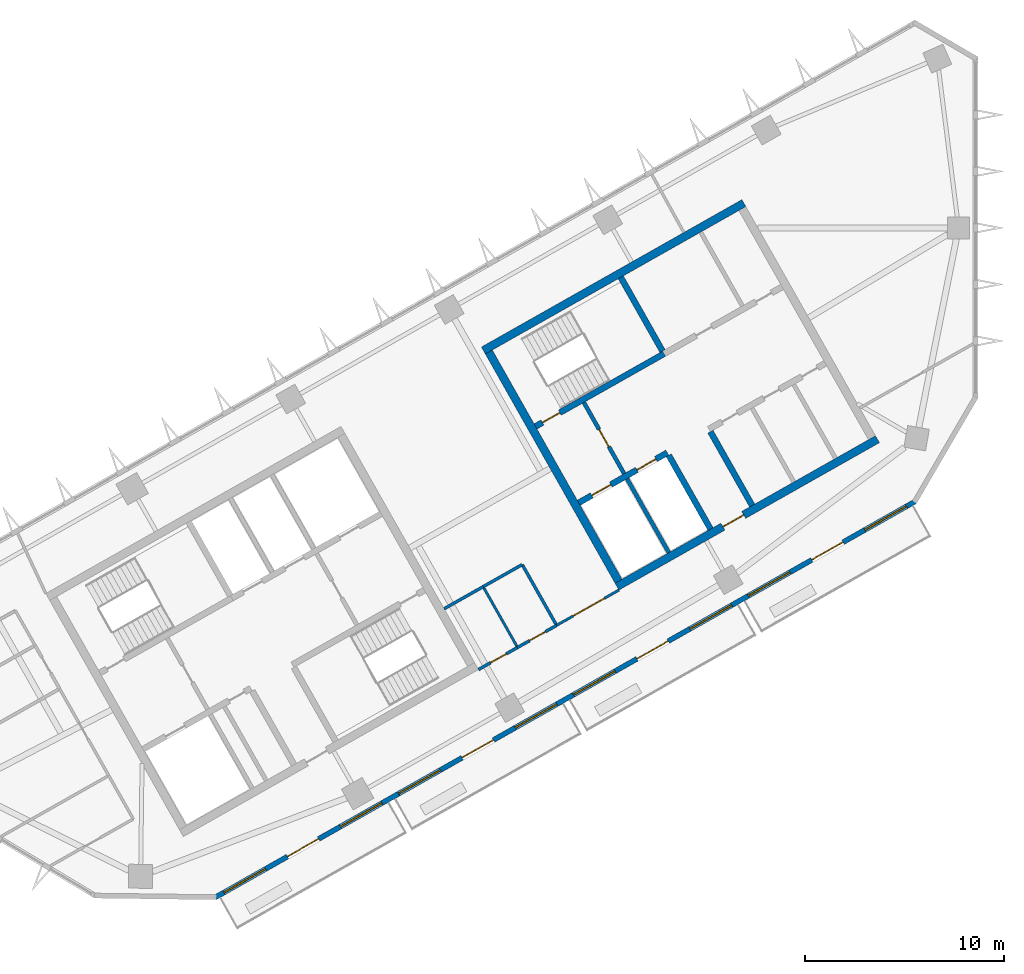
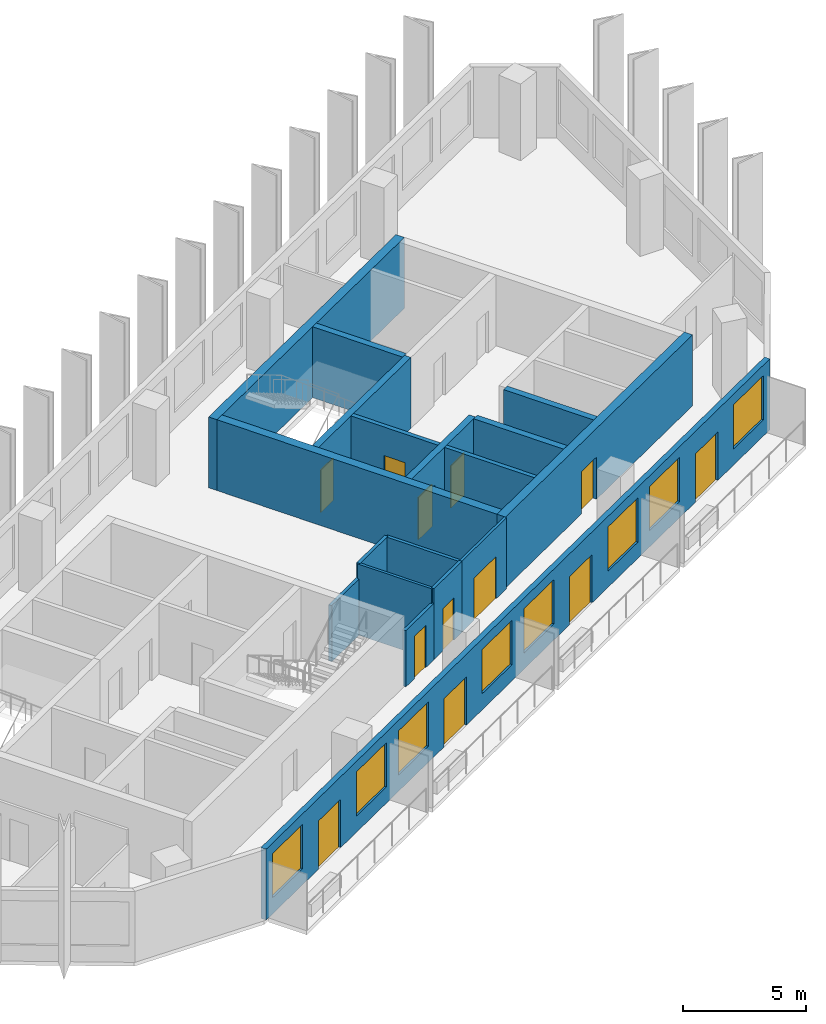
# One storey, part 4 of 8: 18 walls, 12 doors, 8 windows, 20 openings.
"""IFC4 building model written with IfcOpenShell, lengths in metres."""

from ifc_helpers import new_model, si_unit, direction, frame, frame_2d, origin, place, context, subcontext, project, spatial, rectangle, extrude, material, layer, layer_set, type_object, element, fill, save


model = new_model("IFC4")

# Units and contexts
model_context = context("Model", 3, precision=1e-05, world=origin(), true_north=direction((0.0, 1.0)))
body_context = subcontext(model_context, "Body", "Model", "MODEL_VIEW")
ifc_project = project(units=[si_unit("LENGTHUNIT", "METRE"), si_unit("AREAUNIT", "SQUARE_METRE"), si_unit("VOLUMEUNIT", "CUBIC_METRE"), si_unit("PLANEANGLEUNIT", "RADIAN"), si_unit("MASSUNIT", "GRAM", prefix="KILO")], contexts=[model_context])

# Site, building, storey
site_placement = place(None, origin())
site = spatial("IfcSite", under=ifc_project, at=site_placement, CompositionType="ELEMENT")
building_placement = place(site_placement, origin())
building = spatial("IfcBuilding", under=site, at=building_placement, Name="Binnacle Exchange Tower", CompositionType="ELEMENT")
storey_placement = place(building_placement, frame((0.0, 0.0, 293.10009765625)))
storey = spatial("IfcBuildingStorey", under=building, at=storey_placement, Name="L65", CompositionType="ELEMENT", Elevation=293.10009765625)

# Wall, openings, doors
ifc_material_1 = material(Name="Concrete C70/85", Category="concrete")
ifc_layer_1 = layer(ifc_material_1, 0.300048828125)
ifc_layer_set_1 = layer_set([ifc_layer_1], Name="Core wall - front 300")
wall_type_1 = type_object("IfcWallType", Name="Core wall - front 300", PredefinedType="SOLIDWALL", material=ifc_layer_set_1)
wall_1_placement = place(storey_placement, frame((-19.89208984375, 46.2177734375, 0.0), z_axis=(0.0, 0.0, 1.0), x_axis=(0.870341639186, 0.492448404505, 0.0)))
wall_1 = element("IfcWall", 1, at=wall_1_placement, inside=storey, type_object=wall_type_1, Name="Core wall CRWC2", PredefinedType="SOLIDWALL", context=body_context, shape_type="SweptSolid", body=[
    extrude(rectangle(XDim=5.099853515625, YDim=0.300048828125, at=frame_2d((2.5498046875, 0.0))), origin(), (0.0, 0.0, 1.0), 3.52001953125),
])
opening_1_placement = place(wall_1_placement, frame((0.75, 0.0, 0.0)))
opening_1 = element("IfcOpeningElement", 2, at=opening_1_placement, cuts=wall_1, Name="Opening LD14", PredefinedType="OPENING", context=body_context, shape_type="SweptSolid", body=[
    extrude(rectangle(XDim=1.10009765625, YDim=2.10009765625, at=frame_2d((0.550048828125, 1.050048828125))), frame((0.0, 0.159912109375, 0.0), z_axis=(0.0, -1.0, 0.0), x_axis=(1.0, 0.0, 0.0)), (0.0, 0.0, 1.0), 0.320068359375),
])
opening_2_placement = place(wall_1_placement, frame((3.35009765625, 0.0, 0.0)))
opening_2 = element("IfcOpeningElement", 3, at=opening_2_placement, cuts=wall_1, Name="Opening LD11", PredefinedType="OPENING", context=body_context, shape_type="SweptSolid", body=[
    extrude(rectangle(XDim=1.10009765625, YDim=2.10009765625, at=frame_2d((0.550048828125, 1.050048828125))), frame((0.0, 0.159912109375, 0.0), z_axis=(0.0, -1.0, 0.0), x_axis=(1.0, 0.0, 0.0)), (0.0, 0.0, 1.0), 0.320068359375),
])
ifc_material_2 = material(Name="Steel door leaf", Category="steel")
door_type_1 = type_object("IfcDoorType", Name="Fire door - lift landing 1100", OperationType="NOTDEFINED", PredefinedType="DOOR", material=ifc_material_2)
door_1_placement = place(opening_1_placement, origin())
door_1 = element("IfcDoor", 4, at=door_1_placement, inside=storey, type_object=door_type_1, Name="Landing door LD14 L65", OperationType="DOUBLE_DOOR_SLIDING", OverallHeight=2.10009765625, OverallWidth=1.10009765625, PredefinedType="DOOR", context=body_context, shape_type="SweptSolid", body=[
    extrude(rectangle(XDim=1.10009765625, YDim=2.10009765625, at=frame_2d((0.550048828125, 1.050048828125))), frame((0.0, 0.02490234375, 0.0), z_axis=(0.0, -1.0, 0.0), x_axis=(1.0, 0.0, 0.0)), (0.0, 0.0, 1.0), 0.050048828125),
])
fill(opening_1, door_1)
door_2_placement = place(opening_2_placement, origin())
door_2 = element("IfcDoor", 5, at=door_2_placement, inside=storey, type_object=door_type_1, Name="Landing door LD11 L65", OperationType="DOUBLE_DOOR_SLIDING", OverallHeight=2.10009765625, OverallWidth=1.10009765625, PredefinedType="DOOR", context=body_context, shape_type="SweptSolid", body=[
    extrude(rectangle(XDim=1.10009765625, YDim=2.10009765625, at=frame_2d((0.550048828125, 1.050048828125))), frame((0.0, 0.02490234375, 0.0), z_axis=(0.0, -1.0, 0.0), x_axis=(1.0, 0.0, 0.0)), (0.0, 0.0, 1.0), 0.050048828125),
])
fill(opening_2, door_2)

# Walls
wall_2_placement = place(storey_placement, frame((-15.37939453125, 48.5986328125, 0.0), z_axis=(0.0, 0.0, 1.0), x_axis=(0.492422543467, -0.870356271124, 0.0)))
element("IfcWall", 6, at=wall_2_placement, inside=storey, type_object=wall_type_1, Name="Core wall CRWC13", PredefinedType="SOLIDWALL", context=body_context, shape_type="SweptSolid", body=[
    extrude(rectangle(XDim=4.25, YDim=0.300048828125, at=frame_2d((2.125, 0.0))), origin(), (0.0, 0.0, 1.0), 3.52001953125),
])
wall_3_placement = place(storey_placement, frame((-13.29052734375, 49.780517578125, 0.0), z_axis=(0.0, 0.0, 1.0), x_axis=(0.492397924348, -0.870370199454, 0.0)))
element("IfcWall", 7, at=wall_3_placement, inside=storey, type_object=wall_type_1, Name="Core wall CRWC15", PredefinedType="SOLIDWALL", context=body_context, shape_type="SweptSolid", body=[
    extrude(rectangle(XDim=4.250244140625, YDim=0.300048828125, at=frame_2d((2.125, 0.0))), origin(), (0.0, 0.0, 1.0), 3.52001953125),
])

# Wall, opening, door
ifc_layer_2 = layer(ifc_material_1, 0.39990234375)
ifc_layer_set_2 = layer_set([ifc_layer_2], Name="Core wall - outer 400")
wall_type_2 = type_object("IfcWallType", Name="Core wall - outer 400", PredefinedType="SOLIDWALL", material=ifc_layer_set_2)
wall_4_placement = place(storey_placement, frame((-17.97509765625, 42.01708984375, 0.0), z_axis=(0.0, 0.0, 1.0), x_axis=(0.87034965173, 0.492434243055, 0.0)))
wall_4 = element("IfcWall", 8, at=wall_4_placement, inside=storey, type_object=wall_type_2, Name="Core wall CRWC1", PredefinedType="SOLIDWALL", context=body_context, shape_type="SweptSolid", body=[
    extrude(rectangle(XDim=15.0, YDim=0.39990234375, at=frame_2d((7.5, 0.0))), origin(), (0.0, 0.0, 1.0), 3.52001953125),
])
opening_3_placement = place(wall_4_placement, frame((6.10009765625, 0.0, 0.0)))
opening_3 = element("IfcOpeningElement", 9, at=opening_3_placement, cuts=wall_4, Name="Opening DC7", PredefinedType="OPENING", context=body_context, shape_type="SweptSolid", body=[
    extrude(rectangle(XDim=1.199951171875, YDim=2.10009765625, at=frame_2d((0.60009765625, 1.050048828125))), frame((0.0, 0.2099609375, 0.0), z_axis=(0.0, -1.0, 0.0), x_axis=(1.0, 0.0, 0.0)), (0.0, 0.0, 1.0), 0.419921875),
])
door_type_2 = type_object("IfcDoorType", Name="Fire door 1200", OperationType="NOTDEFINED", PredefinedType="DOOR", material=ifc_material_2)
door_3_placement = place(opening_3_placement, frame((1.199951171875, 0.0, 0.0), z_axis=(0.0, 0.0, 1.0), x_axis=(-1.0, 0.0, 0.0)))
door_3 = element("IfcDoor", 10, at=door_3_placement, inside=storey, type_object=door_type_2, Name="Lift lobby entrance door core C", OperationType="SINGLE_SWING_RIGHT", OverallHeight=2.10009765625, OverallWidth=1.199951171875, PredefinedType="DOOR", context=body_context, shape_type="SweptSolid", body=[
    extrude(rectangle(XDim=1.199951171875, YDim=2.10009765625, at=frame_2d((0.60009765625, 1.050048828125))), frame((0.0, 0.02490234375, 0.0), z_axis=(0.0, -1.0, 0.0), x_axis=(1.0, 0.0, 0.0)), (0.0, 0.0, 1.0), 0.050048828125),
])
fill(opening_3, door_3)

# Walls
wall_5_placement = place(storey_placement, frame((-24.672119140625, 53.85400390625, 0.0), z_axis=(0.0, 0.0, 1.0), x_axis=(0.870353598469, 0.492427267353, 0.0)))
element("IfcWall", 11, at=wall_5_placement, inside=storey, type_object=wall_type_2, Name="Core wall CRWC6", PredefinedType="SOLIDWALL", context=body_context, shape_type="SweptSolid", body=[
    extrude(rectangle(XDim=15.000244140625, YDim=0.39990234375, at=frame_2d((7.5, 0.0))), origin(), (0.0, 0.0, 1.0), 3.52001953125),
])
wall_6_placement = place(storey_placement, frame((-24.399658203125, 53.778564453125, 0.0), z_axis=(0.0, 0.0, 1.0), x_axis=(0.492421663121, -0.870356769198, 0.0)))
element("IfcWall", 12, at=wall_6_placement, inside=storey, type_object=wall_type_2, Name="Core wall CRWC7", PredefinedType="SOLIDWALL", context=body_context, shape_type="SweptSolid", body=[
    extrude(rectangle(XDim=13.199951171875, YDim=0.39990234375, at=frame_2d((6.60009765625, 0.0))), origin(), (0.0, 0.0, 1.0), 3.52001953125),
])

# Wall, opening, door
ifc_layer_3 = layer(ifc_material_1, 0.300048828125)
ifc_layer_set_3 = layer_set([ifc_layer_3], Name="Core wall - stair 300")
wall_type_3 = type_object("IfcWallType", Name="Core wall - stair 300", PredefinedType="SOLIDWALL", material=ifc_layer_set_3)
wall_7_placement = place(storey_placement, frame((-22.058837890625, 50.04736328125, 0.0), z_axis=(0.0, 0.0, 1.0), x_axis=(0.87035077051, 0.49243226567, 0.0)))
wall_7 = element("IfcWall", 13, at=wall_7_placement, inside=storey, type_object=wall_type_3, Name="Core wall CRWC4", PredefinedType="SOLIDWALL", context=body_context, shape_type="SweptSolid", body=[
    extrude(rectangle(XDim=7.400146484375, YDim=0.300048828125, at=frame_2d((3.7001953125, 0.0))), origin(), (0.0, 0.0, 1.0), 3.52001953125),
])
opening_4_placement = place(wall_7_placement, frame((0.39990234375, 0.0, 0.0)))
opening_4 = element("IfcOpeningElement", 14, at=opening_4_placement, cuts=wall_7, Name="Opening DC1", PredefinedType="OPENING", context=body_context, shape_type="SweptSolid", body=[
    extrude(rectangle(XDim=1.0, YDim=2.10009765625, at=frame_2d((0.5, 1.050048828125))), frame((0.0, 0.159912109375, 0.0), z_axis=(0.0, -1.0, 0.0), x_axis=(1.0, 0.0, 0.0)), (0.0, 0.0, 1.0), 0.320068359375),
])
door_type_3 = type_object("IfcDoorType", Name="Fire door 1000", OperationType="NOTDEFINED", PredefinedType="DOOR", material=ifc_material_2)
door_4_placement = place(opening_4_placement, origin())
door_4 = element("IfcDoor", 15, at=door_4_placement, inside=storey, type_object=door_type_3, Name="Stair door ST-C1", OperationType="SINGLE_SWING_LEFT", OverallHeight=2.10009765625, OverallWidth=1.0, PredefinedType="DOOR", context=body_context, shape_type="SweptSolid", body=[
    extrude(rectangle(XDim=1.0, YDim=2.10009765625, at=frame_2d((0.5, 1.050048828125))), frame((0.0, 0.02490234375, 0.0), z_axis=(0.0, -1.0, 0.0), x_axis=(1.0, 0.0, 0.0)), (0.0, 0.0, 1.0), 0.050048828125),
])
fill(opening_4, door_4)

# Wall
wall_8_placement = place(storey_placement, frame((-17.784912109375, 57.52099609375, 0.0), z_axis=(0.0, 0.0, 1.0), x_axis=(0.492422543467, -0.870356271124, 0.0)))
element("IfcWall", 16, at=wall_8_placement, inside=storey, type_object=wall_type_3, Name="Core wall CRWC14", PredefinedType="SOLIDWALL", context=body_context, shape_type="SweptSolid", body=[
    extrude(rectangle(XDim=4.25, YDim=0.300048828125, at=frame_2d((2.125, 0.0))), origin(), (0.0, 0.0, 1.0), 3.52001953125),
])

# Wall, openings, doors, windows
ifc_material_3 = material(Name="Bronze aluminium cladding", Category="aluminium")
ifc_layer_4 = layer(ifc_material_3, 0.25)
ifc_layer_set_4 = layer_set([ifc_layer_4], Name="External wall - window wall 250")
wall_type_4 = type_object("IfcWallType", Name="External wall - window wall 250", PredefinedType="STANDARD", material=ifc_layer_set_4)
wall_9_placement = place(storey_placement, frame((-3.016845703125, 46.293212890625, 0.0), z_axis=(0.0, 0.0, 1.0), x_axis=(-0.870355474887, -0.492423950812, 0.0)))
wall_9 = element("IfcWall", 17, at=wall_9_placement, inside=storey, type_object=wall_type_4, Name="External wall EW-H07 L65", PredefinedType="STANDARD", context=body_context, shape_type="SweptSolid", body=[
    extrude(rectangle(XDim=40.34033203125, YDim=0.25, at=frame_2d((20.170166015625, 0.0))), origin(), (0.0, 0.0, 1.0), 3.52001953125),
])
opening_5_placement = place(wall_9_placement, frame((37.428466796875, 0.0, 0.800048828125)))
opening_5 = element("IfcOpeningElement", 18, at=opening_5_placement, cuts=wall_9, Name="Opening WR2", PredefinedType="OPENING", context=body_context, shape_type="SweptSolid", body=[
    extrude(rectangle(XDim=2.39990234375, YDim=2.199951171875, at=frame_2d((1.199951171875, 1.10009765625))), frame((0.0, 0.135009765625, 0.0), z_axis=(0.0, -1.0, 0.0), x_axis=(1.0, 0.0, 0.0)), (0.0, 0.0, 1.0), 0.27001953125),
])
opening_6_placement = place(wall_9_placement, frame((34.372314453125, 0.0, 0.0)))
opening_6 = element("IfcOpeningElement", 19, at=opening_6_placement, cuts=wall_9, Name="Opening D-FS20-01", PredefinedType="OPENING", context=body_context, shape_type="SweptSolid", body=[
    extrude(rectangle(XDim=1.800048828125, YDim=2.39990234375, at=frame_2d((0.89990234375, 1.199951171875))), frame((0.0, 0.135009765625, 0.0), z_axis=(0.0, -1.0, 0.0), x_axis=(1.0, 0.0, 0.0)), (0.0, 0.0, 1.0), 0.27001953125),
])
opening_7_placement = place(wall_9_placement, frame((30.71630859375, 0.0, 0.800048828125)))
opening_7 = element("IfcOpeningElement", 20, at=opening_7_placement, cuts=wall_9, Name="Opening WR2", PredefinedType="OPENING", context=body_context, shape_type="SweptSolid", body=[
    extrude(rectangle(XDim=2.39990234375, YDim=2.199951171875, at=frame_2d((1.199951171875, 1.10009765625))), frame((0.0, 0.135009765625, 0.0), z_axis=(0.0, -1.0, 0.0), x_axis=(1.0, 0.0, 0.0)), (0.0, 0.0, 1.0), 0.27001953125),
])
opening_8_placement = place(wall_9_placement, frame((27.3603515625, 0.0, 0.800048828125)))
opening_8 = element("IfcOpeningElement", 21, at=opening_8_placement, cuts=wall_9, Name="Opening WR2", PredefinedType="OPENING", context=body_context, shape_type="SweptSolid", body=[
    extrude(rectangle(XDim=2.39990234375, YDim=2.199951171875, at=frame_2d((1.199951171875, 1.10009765625))), frame((0.0, 0.135009765625, 0.0), z_axis=(0.0, -1.0, 0.0), x_axis=(1.0, 0.0, 0.0)), (0.0, 0.0, 1.0), 0.27001953125),
])
opening_9_placement = place(wall_9_placement, frame((24.30419921875, 0.0, 0.0)))
opening_9 = element("IfcOpeningElement", 22, at=opening_9_placement, cuts=wall_9, Name="Opening D-FS20-02", PredefinedType="OPENING", context=body_context, shape_type="SweptSolid", body=[
    extrude(rectangle(XDim=1.800048828125, YDim=2.39990234375, at=frame_2d((0.89990234375, 1.199951171875))), frame((0.0, 0.135009765625, 0.0), z_axis=(0.0, -1.0, 0.0), x_axis=(1.0, 0.0, 0.0)), (0.0, 0.0, 1.0), 0.27001953125),
])
opening_10_placement = place(wall_9_placement, frame((20.648193359375, 0.0, 0.800048828125)))
opening_10 = element("IfcOpeningElement", 23, at=opening_10_placement, cuts=wall_9, Name="Opening WR2", PredefinedType="OPENING", context=body_context, shape_type="SweptSolid", body=[
    extrude(rectangle(XDim=2.39990234375, YDim=2.199951171875, at=frame_2d((1.199951171875, 1.10009765625))), frame((0.0, 0.135009765625, 0.0), z_axis=(0.0, -1.0, 0.0), x_axis=(1.0, 0.0, 0.0)), (0.0, 0.0, 1.0), 0.27001953125),
])
opening_11_placement = place(wall_9_placement, frame((17.2919921875, 0.0, 0.800048828125)))
opening_11 = element("IfcOpeningElement", 24, at=opening_11_placement, cuts=wall_9, Name="Opening WR2", PredefinedType="OPENING", context=body_context, shape_type="SweptSolid", body=[
    extrude(rectangle(XDim=2.39990234375, YDim=2.199951171875, at=frame_2d((1.199951171875, 1.10009765625))), frame((0.0, 0.135009765625, 0.0), z_axis=(0.0, -1.0, 0.0), x_axis=(1.0, 0.0, 0.0)), (0.0, 0.0, 1.0), 0.27001953125),
])
opening_12_placement = place(wall_9_placement, frame((14.236083984375, 0.0, 0.0)))
opening_12 = element("IfcOpeningElement", 25, at=opening_12_placement, cuts=wall_9, Name="Opening D-FS20-03", PredefinedType="OPENING", context=body_context, shape_type="SweptSolid", body=[
    extrude(rectangle(XDim=1.800048828125, YDim=2.39990234375, at=frame_2d((0.89990234375, 1.199951171875))), frame((0.0, 0.135009765625, 0.0), z_axis=(0.0, -1.0, 0.0), x_axis=(1.0, 0.0, 0.0)), (0.0, 0.0, 1.0), 0.27001953125),
])
opening_13_placement = place(wall_9_placement, frame((10.580078125, 0.0, 0.800048828125)))
opening_13 = element("IfcOpeningElement", 26, at=opening_13_placement, cuts=wall_9, Name="Opening WR2", PredefinedType="OPENING", context=body_context, shape_type="SweptSolid", body=[
    extrude(rectangle(XDim=2.39990234375, YDim=2.199951171875, at=frame_2d((1.199951171875, 1.10009765625))), frame((0.0, 0.135009765625, 0.0), z_axis=(0.0, -1.0, 0.0), x_axis=(1.0, 0.0, 0.0)), (0.0, 0.0, 1.0), 0.27001953125),
])
opening_14_placement = place(wall_9_placement, frame((7.223876953125, 0.0, 0.800048828125)))
opening_14 = element("IfcOpeningElement", 27, at=opening_14_placement, cuts=wall_9, Name="Opening WR2", PredefinedType="OPENING", context=body_context, shape_type="SweptSolid", body=[
    extrude(rectangle(XDim=2.39990234375, YDim=2.199951171875, at=frame_2d((1.199951171875, 1.10009765625))), frame((0.0, 0.135009765625, 0.0), z_axis=(0.0, -1.0, 0.0), x_axis=(1.0, 0.0, 0.0)), (0.0, 0.0, 1.0), 0.27001953125),
])
opening_15_placement = place(wall_9_placement, frame((4.16796875, 0.0, 0.0)))
opening_15 = element("IfcOpeningElement", 28, at=opening_15_placement, cuts=wall_9, Name="Opening D-FS20-04", PredefinedType="OPENING", context=body_context, shape_type="SweptSolid", body=[
    extrude(rectangle(XDim=1.800048828125, YDim=2.39990234375, at=frame_2d((0.89990234375, 1.199951171875))), frame((0.0, 0.135009765625, 0.0), z_axis=(0.0, -1.0, 0.0), x_axis=(1.0, 0.0, 0.0)), (0.0, 0.0, 1.0), 0.27001953125),
])
opening_16_placement = place(wall_9_placement, frame((0.51171875, 0.0, 0.800048828125)))
opening_16 = element("IfcOpeningElement", 29, at=opening_16_placement, cuts=wall_9, Name="Opening WR2", PredefinedType="OPENING", context=body_context, shape_type="SweptSolid", body=[
    extrude(rectangle(XDim=2.39990234375, YDim=2.199951171875, at=frame_2d((1.199951171875, 1.10009765625))), frame((0.0, 0.135009765625, 0.0), z_axis=(0.0, -1.0, 0.0), x_axis=(1.0, 0.0, 0.0)), (0.0, 0.0, 1.0), 0.27001953125),
])
ifc_material_4 = material(Name="Bronze anodised aluminium frame", Category="aluminium")
door_type_4 = type_object("IfcDoorType", Name="DB DOOR 1800x2400", OperationType="DOUBLE_DOOR_SINGLE_SWING", PredefinedType="DOOR", material=ifc_material_4)
door_5_placement = place(opening_6_placement, origin())
door_5 = element("IfcDoor", 30, at=door_5_placement, inside=storey, type_object=door_type_4, Name="Door D-FS20-01 L65", OperationType="DOUBLE_DOOR_SINGLE_SWING", OverallHeight=2.39990234375, OverallWidth=1.800048828125, PredefinedType="DOOR", context=body_context, shape_type="SweptSolid", body=[
    extrude(rectangle(XDim=1.800048828125, YDim=2.39990234375, at=frame_2d((0.89990234375, 1.199951171875))), frame((0.0, 0.02490234375, 0.0), z_axis=(0.0, -1.0, 0.0), x_axis=(1.0, 0.0, 0.0)), (0.0, 0.0, 1.0), 0.050048828125),
])
fill(opening_6, door_5)
door_6_placement = place(opening_9_placement, origin())
door_6 = element("IfcDoor", 31, at=door_6_placement, inside=storey, type_object=door_type_4, Name="Door D-FS20-02 L65", OperationType="DOUBLE_DOOR_SINGLE_SWING", OverallHeight=2.39990234375, OverallWidth=1.800048828125, PredefinedType="DOOR", context=body_context, shape_type="SweptSolid", body=[
    extrude(rectangle(XDim=1.800048828125, YDim=2.39990234375, at=frame_2d((0.89990234375, 1.199951171875))), frame((0.0, 0.02490234375, 0.0), z_axis=(0.0, -1.0, 0.0), x_axis=(1.0, 0.0, 0.0)), (0.0, 0.0, 1.0), 0.050048828125),
])
fill(opening_9, door_6)
door_7_placement = place(opening_12_placement, origin())
door_7 = element("IfcDoor", 32, at=door_7_placement, inside=storey, type_object=door_type_4, Name="Door D-FS20-03 L65", OperationType="DOUBLE_DOOR_SINGLE_SWING", OverallHeight=2.39990234375, OverallWidth=1.800048828125, PredefinedType="DOOR", context=body_context, shape_type="SweptSolid", body=[
    extrude(rectangle(XDim=1.800048828125, YDim=2.39990234375, at=frame_2d((0.89990234375, 1.199951171875))), frame((0.0, 0.02490234375, 0.0), z_axis=(0.0, -1.0, 0.0), x_axis=(1.0, 0.0, 0.0)), (0.0, 0.0, 1.0), 0.050048828125),
])
fill(opening_12, door_7)
door_8_placement = place(opening_15_placement, origin())
door_8 = element("IfcDoor", 33, at=door_8_placement, inside=storey, type_object=door_type_4, Name="Door D-FS20-04 L65", OperationType="DOUBLE_DOOR_SINGLE_SWING", OverallHeight=2.39990234375, OverallWidth=1.800048828125, PredefinedType="DOOR", context=body_context, shape_type="SweptSolid", body=[
    extrude(rectangle(XDim=1.800048828125, YDim=2.39990234375, at=frame_2d((0.89990234375, 1.199951171875))), frame((0.0, 0.02490234375, 0.0), z_axis=(0.0, -1.0, 0.0), x_axis=(1.0, 0.0, 0.0)), (0.0, 0.0, 1.0), 0.050048828125),
])
fill(opening_15, door_8)
window_type = type_object("IfcWindowType", Name="WR2 WINDOW 2400x2200", PartitioningType="SINGLE_PANEL", PredefinedType="WINDOW", material=ifc_material_4)
window_1_placement = place(opening_5_placement, origin())
window_1 = element("IfcWindow", 34, at=window_1_placement, inside=storey, type_object=window_type, Name="Window WR2 L65", OverallHeight=2.199951171875, OverallWidth=2.39990234375, PartitioningType="SINGLE_PANEL", PredefinedType="WINDOW", context=body_context, shape_type="SweptSolid", body=[
    extrude(rectangle(XDim=2.39990234375, YDim=2.199951171875, at=frame_2d((1.199951171875, 1.10009765625))), frame((0.0, 0.030029296875, 0.0), z_axis=(0.0, -1.0, 0.0), x_axis=(1.0, 0.0, 0.0)), (0.0, 0.0, 1.0), 0.06005859375),
])
fill(opening_5, window_1)
window_2_placement = place(opening_7_placement, origin())
window_2 = element("IfcWindow", 35, at=window_2_placement, inside=storey, type_object=window_type, Name="Window WR2 L65", OverallHeight=2.199951171875, OverallWidth=2.39990234375, PartitioningType="SINGLE_PANEL", PredefinedType="WINDOW", context=body_context, shape_type="SweptSolid", body=[
    extrude(rectangle(XDim=2.39990234375, YDim=2.199951171875, at=frame_2d((1.199951171875, 1.10009765625))), frame((0.0, 0.030029296875, 0.0), z_axis=(0.0, -1.0, 0.0), x_axis=(1.0, 0.0, 0.0)), (0.0, 0.0, 1.0), 0.06005859375),
])
fill(opening_7, window_2)
window_3_placement = place(opening_8_placement, origin())
window_3 = element("IfcWindow", 36, at=window_3_placement, inside=storey, type_object=window_type, Name="Window WR2 L65", OverallHeight=2.199951171875, OverallWidth=2.39990234375, PartitioningType="SINGLE_PANEL", PredefinedType="WINDOW", context=body_context, shape_type="SweptSolid", body=[
    extrude(rectangle(XDim=2.39990234375, YDim=2.199951171875, at=frame_2d((1.199951171875, 1.10009765625))), frame((0.0, 0.030029296875, 0.0), z_axis=(0.0, -1.0, 0.0), x_axis=(1.0, 0.0, 0.0)), (0.0, 0.0, 1.0), 0.06005859375),
])
fill(opening_8, window_3)
window_4_placement = place(opening_10_placement, origin())
window_4 = element("IfcWindow", 37, at=window_4_placement, inside=storey, type_object=window_type, Name="Window WR2 L65", OverallHeight=2.199951171875, OverallWidth=2.39990234375, PartitioningType="SINGLE_PANEL", PredefinedType="WINDOW", context=body_context, shape_type="SweptSolid", body=[
    extrude(rectangle(XDim=2.39990234375, YDim=2.199951171875, at=frame_2d((1.199951171875, 1.10009765625))), frame((0.0, 0.030029296875, 0.0), z_axis=(0.0, -1.0, 0.0), x_axis=(1.0, 0.0, 0.0)), (0.0, 0.0, 1.0), 0.06005859375),
])
fill(opening_10, window_4)
window_5_placement = place(opening_11_placement, origin())
window_5 = element("IfcWindow", 38, at=window_5_placement, inside=storey, type_object=window_type, Name="Window WR2 L65", OverallHeight=2.199951171875, OverallWidth=2.39990234375, PartitioningType="SINGLE_PANEL", PredefinedType="WINDOW", context=body_context, shape_type="SweptSolid", body=[
    extrude(rectangle(XDim=2.39990234375, YDim=2.199951171875, at=frame_2d((1.199951171875, 1.10009765625))), frame((0.0, 0.030029296875, 0.0), z_axis=(0.0, -1.0, 0.0), x_axis=(1.0, 0.0, 0.0)), (0.0, 0.0, 1.0), 0.06005859375),
])
fill(opening_11, window_5)
window_6_placement = place(opening_13_placement, origin())
window_6 = element("IfcWindow", 39, at=window_6_placement, inside=storey, type_object=window_type, Name="Window WR2 L65", OverallHeight=2.199951171875, OverallWidth=2.39990234375, PartitioningType="SINGLE_PANEL", PredefinedType="WINDOW", context=body_context, shape_type="SweptSolid", body=[
    extrude(rectangle(XDim=2.39990234375, YDim=2.199951171875, at=frame_2d((1.199951171875, 1.10009765625))), frame((0.0, 0.030029296875, 0.0), z_axis=(0.0, -1.0, 0.0), x_axis=(1.0, 0.0, 0.0)), (0.0, 0.0, 1.0), 0.06005859375),
])
fill(opening_13, window_6)
window_7_placement = place(opening_14_placement, origin())
window_7 = element("IfcWindow", 40, at=window_7_placement, inside=storey, type_object=window_type, Name="Window WR2 L65", OverallHeight=2.199951171875, OverallWidth=2.39990234375, PartitioningType="SINGLE_PANEL", PredefinedType="WINDOW", context=body_context, shape_type="SweptSolid", body=[
    extrude(rectangle(XDim=2.39990234375, YDim=2.199951171875, at=frame_2d((1.199951171875, 1.10009765625))), frame((0.0, 0.030029296875, 0.0), z_axis=(0.0, -1.0, 0.0), x_axis=(1.0, 0.0, 0.0)), (0.0, 0.0, 1.0), 0.06005859375),
])
fill(opening_14, window_7)
window_8_placement = place(opening_16_placement, origin())
window_8 = element("IfcWindow", 41, at=window_8_placement, inside=storey, type_object=window_type, Name="Window WR2 L65", OverallHeight=2.199951171875, OverallWidth=2.39990234375, PartitioningType="SINGLE_PANEL", PredefinedType="WINDOW", context=body_context, shape_type="SweptSolid", body=[
    extrude(rectangle(XDim=2.39990234375, YDim=2.199951171875, at=frame_2d((1.199951171875, 1.10009765625))), frame((0.0, 0.030029296875, 0.0), z_axis=(0.0, -1.0, 0.0), x_axis=(1.0, 0.0, 0.0)), (0.0, 0.0, 1.0), 0.06005859375),
])
fill(opening_16, window_8)

# Wall, opening, door
ifc_material_5 = material(Name="Masonry block wall", Category="masonry")
ifc_layer_5 = layer(ifc_material_5, 0.199951171875)
ifc_layer_set_5 = layer_set([ifc_layer_5], Name="Fire wall - vestibule 200")
wall_type_5 = type_object("IfcWallType", Name="Fire wall - vestibule 200", PredefinedType="PARTITIONING", material=ifc_layer_set_5)
wall_10_placement = place(storey_placement, frame((-19.635009765625, 51.246337890625, 0.0), z_axis=(0.0, 0.0, 1.0), x_axis=(0.492408451753, -0.87036424366, 0.0)))
wall_10 = element("IfcWall", 42, at=wall_10_placement, inside=storey, type_object=wall_type_5, Name="Core wall CRWC10", PredefinedType="PARTITIONING", context=body_context, shape_type="SweptSolid", body=[
    extrude(rectangle(XDim=4.099853515625, YDim=0.199951171875, at=frame_2d((2.0498046875, 0.0))), origin(), (0.0, 0.0, 1.0), 3.52001953125),
])
opening_17_placement = place(wall_10_placement, frame((1.550048828125, 0.0, 0.0)))
opening_17 = element("IfcOpeningElement", 43, at=opening_17_placement, cuts=wall_10, Name="Opening DC3", PredefinedType="OPENING", context=body_context, shape_type="SweptSolid", body=[
    extrude(rectangle(XDim=1.0, YDim=2.10009765625, at=frame_2d((0.5, 1.050048828125))), frame((0.0, 0.10986328125, 0.0), z_axis=(0.0, -1.0, 0.0), x_axis=(1.0, 0.0, 0.0)), (0.0, 0.0, 1.0), 0.219970703125),
])
door_9_placement = place(opening_17_placement, frame((1.0, 0.0, 0.0), z_axis=(0.0, 0.0, 1.0), x_axis=(-1.0, 0.0, 0.0)))
door_9 = element("IfcDoor", 44, at=door_9_placement, inside=storey, type_object=door_type_3, Name="Vestibule door VEST-W", OperationType="SINGLE_SWING_RIGHT", OverallHeight=2.10009765625, OverallWidth=1.0, PredefinedType="DOOR", context=body_context, shape_type="SweptSolid", body=[
    extrude(rectangle(XDim=1.0, YDim=2.10009765625, at=frame_2d((0.5, 1.050048828125))), frame((0.0, 0.02490234375, 0.0), z_axis=(0.0, -1.0, 0.0), x_axis=(1.0, 0.0, 0.0)), (0.0, 0.0, 1.0), 0.050048828125),
])
fill(opening_17, door_9)

# Wall
ifc_material_6 = material(Name="Gypsum partition fire rated")
ifc_layer_6 = layer(ifc_material_6, 0.14990234375)
ifc_layer_set_6 = layer_set([ifc_layer_6], Name="Fire-rated partition 150")
wall_type_6 = type_object("IfcWallType", Name="Fire-rated partition 150", PredefinedType="PARTITIONING", material=ifc_layer_set_6)
wall_11_placement = place(storey_placement, frame((-26.64208984375, 40.905029296875, 0.0), z_axis=(0.0, 0.0, 1.0), x_axis=(0.870332332106, 0.492464853254, 0.0)))
element("IfcWall", 45, at=wall_11_placement, inside=storey, type_object=wall_type_6, Name="Partition W12", PredefinedType="PARTITIONING", context=body_context, shape_type="SweptSolid", body=[
    extrude(rectangle(XDim=2.249755859375, YDim=0.14990234375, at=frame_2d((1.125, 0.0))), origin(), (0.0, 0.0, 1.0), 2.7919921875),
])

# Wall, opening, door
wall_12_placement = place(storey_placement, frame((-24.9189453125, 37.85888671875, 0.0), z_axis=(0.0, 0.0, 1.0), x_axis=(0.870391061957, 0.492361045641, 0.0)))
wall_12 = element("IfcWall", 46, at=wall_12_placement, inside=storey, type_object=wall_type_6, Name="Partition W13", PredefinedType="PARTITIONING", context=body_context, shape_type="SweptSolid", body=[
    extrude(rectangle(XDim=2.250732421875, YDim=0.14990234375, at=frame_2d((1.12548828125, 0.0))), origin(), (0.0, 0.0, 1.0), 2.7919921875),
])
opening_18_placement = place(wall_12_placement, frame((0.699951171875, 0.0, 0.0)))
opening_18 = element("IfcOpeningElement", 47, at=opening_18_placement, cuts=wall_12, Name="Opening DL65-05", PredefinedType="OPENING", context=body_context, shape_type="SweptSolid", body=[
    extrude(rectangle(XDim=0.89990234375, YDim=2.10009765625, at=frame_2d((0.449951171875, 1.050048828125))), frame((0.0, 0.0849609375, 0.0), z_axis=(0.0, -1.0, 0.0), x_axis=(1.0, 0.0, 0.0)), (0.0, 0.0, 1.0), 0.169921875),
])
door_type_5 = type_object("IfcDoorType", Name="Fire door 900", OperationType="NOTDEFINED", PredefinedType="DOOR", material=ifc_material_2)
door_10_placement = place(opening_18_placement, origin())
door_10 = element("IfcDoor", 48, at=door_10_placement, inside=storey, type_object=door_type_5, Name="Door DL65-05", OperationType="SINGLE_SWING_RIGHT", OverallHeight=2.10009765625, OverallWidth=0.89990234375, PredefinedType="DOOR", context=body_context, shape_type="SweptSolid", body=[
    extrude(rectangle(XDim=0.89990234375, YDim=2.10009765625, at=frame_2d((0.449951171875, 1.050048828125))), frame((0.0, 0.02490234375, 0.0), z_axis=(0.0, -1.0, 0.0), x_axis=(1.0, 0.0, 0.0)), (0.0, 0.0, 1.0), 0.050048828125),
])
fill(opening_18, door_10)

# Wall
wall_13_placement = place(storey_placement, frame((-24.68408203125, 42.012939453125, 0.0), z_axis=(0.0, 0.0, 1.0), x_axis=(0.870285818058, 0.4925470484, 0.0)))
element("IfcWall", 49, at=wall_13_placement, inside=storey, type_object=wall_type_6, Name="Partition W15", PredefinedType="PARTITIONING", context=body_context, shape_type="SweptSolid", body=[
    extrude(rectangle(XDim=2.249755859375, YDim=0.14990234375, at=frame_2d((1.125, 0.0))), origin(), (0.0, 0.0, 1.0), 3.52001953125),
])

# Wall, opening, door
wall_14_placement = place(storey_placement, frame((-22.9599609375, 38.967041015625, 0.0), z_axis=(0.0, 0.0, 1.0), x_axis=(0.870332332106, 0.492464853254, 0.0)))
wall_14 = element("IfcWall", 50, at=wall_14_placement, inside=storey, type_object=wall_type_6, Name="Partition W16", PredefinedType="PARTITIONING", context=body_context, shape_type="SweptSolid", body=[
    extrude(rectangle(XDim=2.249755859375, YDim=0.14990234375, at=frame_2d((1.125, 0.0))), origin(), (0.0, 0.0, 1.0), 3.52001953125),
])
opening_19_placement = place(wall_14_placement, frame((0.699951171875, 0.0, 0.0)))
opening_19 = element("IfcOpeningElement", 51, at=opening_19_placement, cuts=wall_14, Name="Opening DL65-06", PredefinedType="OPENING", context=body_context, shape_type="SweptSolid", body=[
    extrude(rectangle(XDim=0.89990234375, YDim=2.10009765625, at=frame_2d((0.449951171875, 1.050048828125))), frame((0.0, 0.0849609375, 0.0), z_axis=(0.0, -1.0, 0.0), x_axis=(1.0, 0.0, 0.0)), (0.0, 0.0, 1.0), 0.169921875),
])
door_11_placement = place(opening_19_placement, origin())
door_11 = element("IfcDoor", 52, at=door_11_placement, inside=storey, type_object=door_type_5, Name="Door DL65-06", OperationType="SINGLE_SWING_RIGHT", OverallHeight=2.10009765625, OverallWidth=0.89990234375, PredefinedType="DOOR", context=body_context, shape_type="SweptSolid", body=[
    extrude(rectangle(XDim=0.89990234375, YDim=2.10009765625, at=frame_2d((0.449951171875, 1.050048828125))), frame((0.0, 0.02490234375, 0.0), z_axis=(0.0, -1.0, 0.0), x_axis=(1.0, 0.0, 0.0)), (0.0, 0.0, 1.0), 0.050048828125),
])
fill(opening_19, door_11)

# Walls
wall_15_placement = place(storey_placement, frame((-22.72607421875, 43.12109375, 0.0), z_axis=(0.0, 0.0, 1.0), x_axis=(0.492574298942, -0.870270394775, 0.0)))
element("IfcWall", 53, at=wall_15_placement, inside=storey, type_object=wall_type_6, Name="Partition W17", PredefinedType="PARTITIONING", context=body_context, shape_type="SweptSolid", body=[
    extrude(rectangle(XDim=3.500244140625, YDim=0.14990234375, at=frame_2d((1.75, 0.0))), origin(), (0.0, 0.0, 1.0), 3.52001953125),
])
ifc_material_7 = material(Name="Gypsum partition")
ifc_layer_7 = layer(ifc_material_7, 0.125)
ifc_layer_set_7 = layer_set([ifc_layer_7], Name="Partition 125")
wall_type_7 = type_object("IfcWallType", Name="Partition 125", PredefinedType="PARTITIONING", material=ifc_layer_set_7)
wall_16_placement = place(storey_placement, frame((-24.68408203125, 42.012939453125, 0.0), z_axis=(0.0, 0.0, 1.0), x_axis=(0.492604200384, -0.870253469837, 0.0)))
element("IfcWall", 54, at=wall_16_placement, inside=storey, type_object=wall_type_7, Name="Partition W14", PredefinedType="PARTITIONING", context=body_context, shape_type="SweptSolid", body=[
    extrude(rectangle(XDim=3.5, YDim=0.125, at=frame_2d((1.75, 0.0))), origin(), (0.0, 0.0, 1.0), 3.52001953125),
])

# Wall, opening, door
wall_17_placement = place(storey_placement, frame((-21.001953125, 40.074951171875, 0.0), z_axis=(0.0, 0.0, 1.0), x_axis=(0.870352535776, 0.492429145632, 0.0)))
wall_17 = element("IfcWall", 55, at=wall_17_placement, inside=storey, type_object=wall_type_7, Name="Partition W18", PredefinedType="PARTITIONING", context=body_context, shape_type="SweptSolid", body=[
    extrude(rectangle(XDim=3.590576171875, YDim=0.125, at=frame_2d((1.79541015625, 0.0))), origin(), (0.0, 0.0, 1.0), 3.52001953125),
])
opening_20_placement = place(wall_17_placement, frame((0.949951171875, 0.0, 0.0)))
opening_20 = element("IfcOpeningElement", 56, at=opening_20_placement, cuts=wall_17, Name="Opening DL65-07", PredefinedType="OPENING", context=body_context, shape_type="SweptSolid", body=[
    extrude(rectangle(XDim=1.800048828125, YDim=2.10009765625, at=frame_2d((0.89990234375, 1.050048828125))), frame((0.0, 0.072509765625, 0.0), z_axis=(0.0, -1.0, 0.0), x_axis=(1.0, 0.0, 0.0)), (0.0, 0.0, 1.0), 0.14501953125),
])
ifc_material_8 = material(Name="Timber door leaf", Category="wood")
door_type_6 = type_object("IfcDoorType", Name="Double door 1800", OperationType="NOTDEFINED", PredefinedType="DOOR", material=ifc_material_8)
door_12_placement = place(opening_20_placement, origin())
door_12 = element("IfcDoor", 57, at=door_12_placement, inside=storey, type_object=door_type_6, Name="Door DL65-07", OperationType="DOUBLE_DOOR_SINGLE_SWING", OverallHeight=2.10009765625, OverallWidth=1.800048828125, PredefinedType="DOOR", context=body_context, shape_type="SweptSolid", body=[
    extrude(rectangle(XDim=1.800048828125, YDim=2.10009765625, at=frame_2d((0.89990234375, 1.050048828125))), frame((0.0, 0.02490234375, 0.0), z_axis=(0.0, -1.0, 0.0), x_axis=(1.0, 0.0, 0.0)), (0.0, 0.0, 1.0), 0.050048828125),
])
fill(opening_20, door_12)

# Wall
ifc_layer_8 = layer(ifc_material_5, 0.199951171875)
ifc_layer_set_8 = layer_set([ifc_layer_8], Name="Shaft wall 200")
wall_type_8 = type_object("IfcWallType", Name="Shaft wall 200", PredefinedType="SOLIDWALL", material=ifc_layer_set_8)
wall_18_placement = place(storey_placement, frame((-17.468505859375, 47.416748046875, 0.0), z_axis=(0.0, 0.0, 1.0), x_axis=(0.492466057713, -0.870331650579, 0.0)))
element("IfcWall", 58, at=wall_18_placement, inside=storey, type_object=wall_type_8, Name="Core wall CRWC9", PredefinedType="SOLIDWALL", context=body_context, shape_type="SweptSolid", body=[
    extrude(rectangle(XDim=4.25, YDim=0.199951171875, at=frame_2d((2.125, 0.0))), origin(), (0.0, 0.0, 1.0), 3.52001953125),
])

save(model, "model.ifc")
